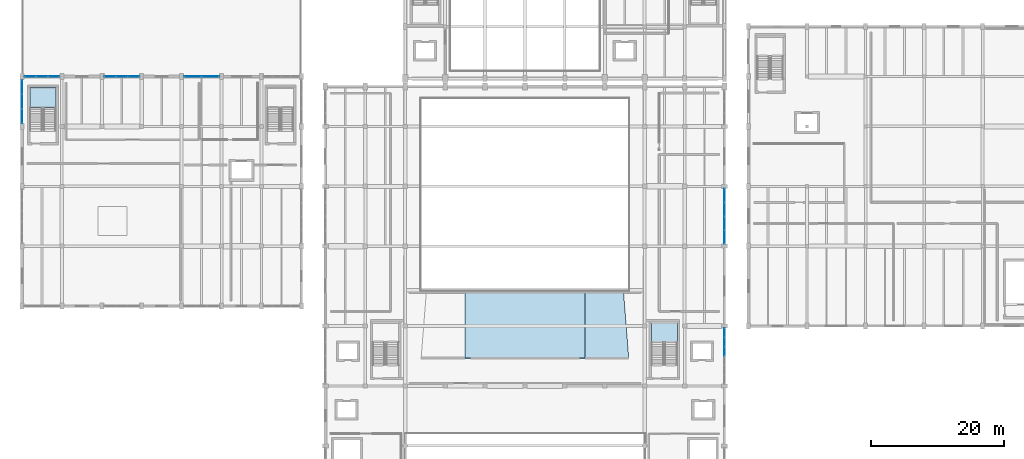
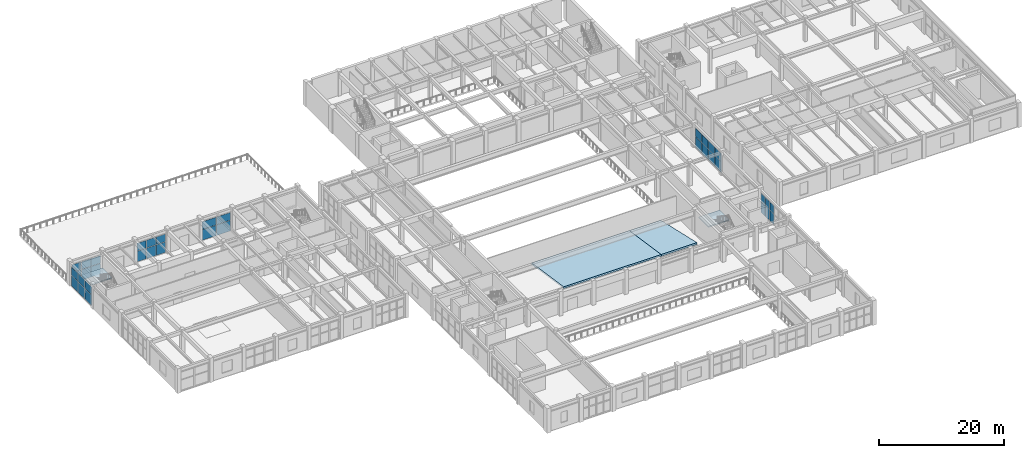
# One storey, part 53 of 80: 36 plates, 4 slabs, 8 elements without a shape of their own.
"""IFC4 building model written with IfcOpenShell, lengths in metres."""

import ifcopenshell
import ifcopenshell.guid

model = None  # the IFC model being written
_history = None  # IfcOwnerHistory: only IFC2X3 demands one
_inside = {}  # id of a spatial element -> (the spatial element, [elements in it])
_under = {}  # id of a project, library or spatial element -> (it, [spatial elements below it])
_declared = {}  # id of a project -> (the project, [libraries it declares])
_typed = {}  # id of a type object -> (the type object, [elements of that type])
_made_of = {}  # id of a material, layer set ... -> (it, [elements and type objects made of it])


def new_model(schema):
    """Start an empty IFC model of exactly this schema.

    Asked for "IFC4X3", IfcOpenShell would pick the latest addendum, in which some entities
    have other attributes; the version numbers below select the first issue.
    IFC2X3 requires an IfcOwnerHistory on every rooted entity: one is made here for all.
    """
    global model, _history
    if schema == "IFC4X3":
        model = ifcopenshell.file(schema_version=(4, 3, 0, 0))
    else:
        model = ifcopenshell.file(schema=schema)
    _inside.clear()
    _under.clear()
    _declared.clear()
    _typed.clear()
    _made_of.clear()
    _history = None
    if model.schema == "IFC2X3":
        org = make("IfcOrganization", Name="unknown")
        user = make(
            "IfcPersonAndOrganization",
            ThePerson=make("IfcPerson", FamilyName="unknown"),
            TheOrganization=org,
        )
        app = make(
            "IfcApplication",
            ApplicationDeveloper=org,
            Version="unknown",
            ApplicationFullName="unknown",
            ApplicationIdentifier="unknown",
        )
        _history = make(
            "IfcOwnerHistory",
            OwningUser=user,
            OwningApplication=app,
            ChangeAction="ADDED",
            CreationDate=0,
        )
    return model


def make(cls, **values):
    """One entity of the class cls with the attributes given. An attribute that is None is left unset."""
    return model.create_entity(
        cls, **{name: value for name, value in values.items() if value is not None}
    )


def rooted(cls, **values):
    """An entity with a GlobalId (a new one), such as an element, a storey or a relation."""
    return make(cls, GlobalId=ifcopenshell.guid.new(), OwnerHistory=_history, **values)


def si_unit(unit_type, name, prefix=None):
    """IfcSIUnit, for example si_unit("LENGTHUNIT", "METRE", prefix="MILLI")."""
    return make("IfcSIUnit", UnitType=unit_type, Prefix=prefix, Name=name)


def assignment(units):
    """IfcUnitAssignment: the units of a project."""
    return None if units is None else make("IfcUnitAssignment", Units=units)


def point(xyz):
    """IfcCartesianPoint."""
    return None if xyz is None else make("IfcCartesianPoint", Coordinates=xyz)


def direction(xyz):
    """IfcDirection."""
    return None if xyz is None else make("IfcDirection", DirectionRatios=xyz)


def frame(location, z_axis=None, x_axis=None):
    """IfcAxis2Placement3D, a coordinate frame: its origin and axes. An axis left out is left unset."""
    return make(
        "IfcAxis2Placement3D",
        Location=point(location),
        Axis=direction(z_axis),
        RefDirection=direction(x_axis),
    )


def frame_2d(location, x_axis=None):
    """IfcAxis2Placement2D, a coordinate frame in the plane: its origin and x axis."""
    return make(
        "IfcAxis2Placement2D", Location=point(location), RefDirection=direction(x_axis)
    )


def origin():
    """The frame at (0, 0, 0) with its axes left unset."""
    return frame((0.0, 0.0, 0.0))


def origin_2d():
    """The frame at (0, 0) in the plane with its x axis left unset."""
    return frame_2d((0.0, 0.0))


def place(relative_to, where):
    """IfcLocalPlacement: puts the frame where relative to a parent placement (None: the world)."""
    return make(
        "IfcLocalPlacement", PlacementRelTo=relative_to, RelativePlacement=where
    )


def context(
    kind, dimensions, precision=None, world=None, true_north=None, identifier=None
):
    """IfcGeometricRepresentationContext, for example the 3D "Model" context."""
    return make(
        "IfcGeometricRepresentationContext",
        ContextIdentifier=identifier,
        ContextType=kind,
        CoordinateSpaceDimension=dimensions,
        Precision=precision,
        WorldCoordinateSystem=world,
        TrueNorth=true_north,
    )


def subcontext(parent, identifier, kind, view, scale=None):
    """IfcGeometricRepresentationSubContext, for example "Body" below "Model"."""
    return make(
        "IfcGeometricRepresentationSubContext",
        ContextIdentifier=identifier,
        ContextType=kind,
        ParentContext=parent,
        TargetScale=scale,
        TargetView=view,
    )


def project(units=None, contexts=None):
    """IfcProject with its units and contexts."""
    return rooted(
        "IfcProject",
        Name="project",
        RepresentationContexts=contexts,
        UnitsInContext=assignment(units),
    )


def spatial(cls, under=None, at=None, **own):
    """A site, building, storey or space (cls), placed at a placement, below another one or the project."""
    s = rooted(cls, ObjectPlacement=at, **own)
    if under is not None:
        _under.setdefault(under.id(), (under, []))[1].append(s)
    return s


def polyline(points):
    """IfcPolyline through the points."""
    return make("IfcPolyline", Points=[point(p) for p in points])


def profile(cls, at=None, kind="AREA", **sizes):
    """A parametric profile (cls). Its sizes go by their IFC names, for example OverallWidth=200.0."""
    return make(cls, ProfileType=kind, Position=at, **sizes)


def rectangle(**sizes):
    """IfcRectangleProfileDef."""
    return profile("IfcRectangleProfileDef", **sizes)


def outline(outer, holes=None, kind="AREA"):
    """IfcArbitraryClosedProfileDef: a profile drawn as a closed curve; with holes, ...WithVoids."""
    if holes is None:
        return make("IfcArbitraryClosedProfileDef", ProfileType=kind, OuterCurve=outer)
    return make(
        "IfcArbitraryProfileDefWithVoids",
        ProfileType=kind,
        OuterCurve=outer,
        InnerCurves=holes,
    )


def extrude(swept, where, along, depth):
    """IfcExtrudedAreaSolid: the profile swept, set in the frame where, extruded along a direction by depth."""
    return make(
        "IfcExtrudedAreaSolid",
        SweptArea=swept,
        Position=where,
        ExtrudedDirection=direction(along),
        Depth=depth,
    )


def shape(context_of_items, identifier, shape_type, items):
    """IfcShapeRepresentation: the items that make up one representation, for example the "Body"."""
    return make(
        "IfcShapeRepresentation",
        ContextOfItems=context_of_items,
        RepresentationIdentifier=identifier,
        RepresentationType=shape_type,
        Items=items,
    )


def material(Name=None, Category=None):
    """IfcMaterial."""
    return make("IfcMaterial", Name=Name, Category=Category)


def layer(
    of_material, thickness, ventilated=None, Name=None, Category=None, Priority=None
):
    """IfcMaterialLayer: one layer of a wall or slab, of a material (None: an air gap)."""
    return make(
        "IfcMaterialLayer",
        Material=of_material,
        LayerThickness=thickness,
        IsVentilated=ventilated,
        Name=Name,
        Category=Category,
        Priority=Priority,
    )


def layer_set(layers, Name=None):
    """IfcMaterialLayerSet."""
    return make("IfcMaterialLayerSet", MaterialLayers=layers, LayerSetName=Name)


def made_of(thing, what):
    """Note that an element or type object is made of a material, layer set ...; save() writes the relation."""
    if what is not None:
        _made_of.setdefault(what.id(), (what, []))[1].append(thing)
    return thing


def type_object(cls, material=None, **own):
    """A type object (cls), such as IfcWallType, which elements share."""
    return made_of(rooted(cls, **own), material)


def element(
    cls,
    number,
    at=None,
    inside=None,
    cuts=None,
    type_object=None,
    material=None,
    context=None,
    identifier="Body",
    shape_type=None,
    held_by="IfcProductDefinitionShape",
    body=None,
    shapes=None,
    **own,
):
    """One element of the class cls, such as IfcWall. Its Tag is "e" and its number.

    at: its placement. inside: the storey or other place that contains it. cuts: it is an
    opening in that element (IfcRelVoidsElement). A single representation is given by context,
    identifier, shape_type and body (its items); several are given by shapes. held_by: the class
    of the entity that holds the representations. save() writes the other relations.
    """
    e = rooted(cls, Tag="e%d" % number, ObjectPlacement=at, **own)
    if body is not None:
        shapes = [shape(context, identifier, shape_type, body)]
    if shapes is not None:
        e.Representation = make(held_by, Representations=shapes)
    if inside is not None:
        _inside.setdefault(inside.id(), (inside, []))[1].append(e)
    if cuts is not None:
        rooted(
            "IfcRelVoidsElement", RelatingBuildingElement=cuts, RelatedOpeningElement=e
        )
    if type_object is not None:
        _typed.setdefault(type_object.id(), (type_object, []))[1].append(e)
    return made_of(e, material)


def aggregate(whole, parts):
    """IfcRelAggregates: a whole, such as a stair, and the parts it consists of."""
    return rooted("IfcRelAggregates", RelatingObject=whole, RelatedObjects=parts)


def save(model, path):
    """Write the relations noted so far, then the file.

    IfcRelAggregates (storeys below a building ...), IfcRelContainedInSpatialStructure (elements
    in a storey), IfcRelDefinesByType, IfcRelAssociatesMaterial and IfcRelDeclares: one each for
    every whole, place, type object, material and project.
    """
    for whole, parts in _under.values():
        aggregate(whole, parts)
    for where, things in _inside.values():
        rooted(
            "IfcRelContainedInSpatialStructure",
            RelatedElements=things,
            RelatingStructure=where,
        )
    for kind, things in _typed.values():
        rooted("IfcRelDefinesByType", RelatedObjects=things, RelatingType=kind)
    for what, things in _made_of.values():
        rooted("IfcRelAssociatesMaterial", RelatedObjects=things, RelatingMaterial=what)
    for by, libraries in _declared.values():
        rooted("IfcRelDeclares", RelatingContext=by, RelatedDefinitions=libraries)
    model.write(path)


model = new_model("IFC4")

# Units and contexts
model_context = context("Model", 3, precision=1e-05, world=origin(), true_north=direction((0.0, 1.0)))
body_context = subcontext(model_context, "Body", "Model", "MODEL_VIEW")
ifc_project = project(units=[si_unit("LENGTHUNIT", "METRE"), si_unit("AREAUNIT", "SQUARE_METRE"), si_unit("VOLUMEUNIT", "CUBIC_METRE"), si_unit("PLANEANGLEUNIT", "RADIAN"), si_unit("MASSUNIT", "GRAM", prefix="KILO")], contexts=[model_context])

# Site, building, storey
site_placement = place(None, origin())
site = spatial("IfcSite", under=ifc_project, at=site_placement, CompositionType="ELEMENT")
building_placement = place(site_placement, origin())
building = spatial("IfcBuilding", under=site, at=building_placement, Name="Vaelkrest Opera House", CompositionType="ELEMENT")
storey_placement = place(building_placement, frame((0.0, 0.0, 15.0)))
storey = spatial("IfcBuildingStorey", under=building, at=storey_placement, Name="L03", CompositionType="ELEMENT", Elevation=15.0)

# Curtain wall, plates
ifc_material_1 = material(Name="Dark bronze anodized aluminium", Category="aluminium")
ifc_layer_1 = layer(ifc_material_1, 0.179931640625)
ifc_layer_set_1 = layer_set([ifc_layer_1], Name="Dark bronze anodized aluminium")
curtain_wall_type_1 = type_object("IfcCurtainWallType", Name="CW01", PredefinedType="NOTDEFINED", material=ifc_layer_set_1)
curtain_wall_1_placement = place(storey_placement, origin())
curtain_wall_1 = element("IfcCurtainWall", 1, at=curtain_wall_1_placement, inside=storey, type_object=curtain_wall_type_1, Name="Curtain wall CW-L03-053", PredefinedType="NOTDEFINED")
ifc_material_2 = material(Name="Double low-E insulated glazing", Category="glass")
ifc_layer_2 = layer(ifc_material_2, 0.02587890625)
ifc_layer_set_2 = layer_set([ifc_layer_2], Name="Double low-E insulated glazing")
plate_type_1 = type_object("IfcPlateType", Name="CWP01", PredefinedType="CURTAIN_PANEL", material=ifc_layer_set_2)
plate_1_placement = place(storey_placement, frame((30.0, -20.814697265625, 0.06494140625), z_axis=(0.0, 0.0, 1.0), x_axis=(0.0, -1.0, 0.0)))
plate_1 = element("IfcPlate", 2, at=plate_1_placement, type_object=plate_type_1, Name="CW01 panel 1.1", PredefinedType="CURTAIN_PANEL", context=body_context, shape_type="SweptSolid", body=[
    extrude(rectangle(XDim=1.30322265625, YDim=0.02587890625, at=origin_2d()), origin(), (0.0, 0.0, 1.0), 2.052490234375),
])
plate_2_placement = place(storey_placement, frame((30.0, -20.814697265625, 2.182373046875), z_axis=(0.0, 0.0, 1.0), x_axis=(0.0, -1.0, 0.0)))
plate_2 = element("IfcPlate", 3, at=plate_2_placement, type_object=plate_type_1, Name="CW01 panel 1.2", PredefinedType="CURTAIN_PANEL", context=body_context, shape_type="SweptSolid", body=[
    extrude(rectangle(XDim=1.30322265625, YDim=0.02587890625, at=origin_2d()), origin(), (0.0, 0.0, 1.0), 1.58154296875),
])
plate_3_placement = place(storey_placement, frame((30.0, -22.198974609375, 0.06494140625), z_axis=(0.0, 0.0, 1.0), x_axis=(0.0, -1.0, 0.0)))
plate_3 = element("IfcPlate", 4, at=plate_3_placement, type_object=plate_type_1, Name="CW01 panel 2.1", PredefinedType="CURTAIN_PANEL", context=body_context, shape_type="SweptSolid", body=[
    extrude(rectangle(XDim=1.335693359375, YDim=0.02587890625, at=origin_2d()), origin(), (0.0, 0.0, 1.0), 2.052490234375),
])
plate_4_placement = place(storey_placement, frame((30.0, -22.198974609375, 2.182373046875), z_axis=(0.0, 0.0, 1.0), x_axis=(0.0, -1.0, 0.0)))
plate_4 = element("IfcPlate", 5, at=plate_4_placement, type_object=plate_type_1, Name="CW01 panel 2.2", PredefinedType="CURTAIN_PANEL", context=body_context, shape_type="SweptSolid", body=[
    extrude(rectangle(XDim=1.335693359375, YDim=0.02587890625, at=origin_2d()), origin(), (0.0, 0.0, 1.0), 1.58154296875),
])
plate_5_placement = place(storey_placement, frame((30.0, -23.599609375, 0.06494140625), z_axis=(0.0, 0.0, 1.0), x_axis=(0.0, -1.0, 0.0)))
plate_5 = element("IfcPlate", 6, at=plate_5_placement, type_object=plate_type_1, Name="CW01 panel 3.1", PredefinedType="CURTAIN_PANEL", context=body_context, shape_type="SweptSolid", body=[
    extrude(rectangle(XDim=1.335693359375, YDim=0.02587890625, at=origin_2d()), origin(), (0.0, 0.0, 1.0), 2.052490234375),
])
plate_6_placement = place(storey_placement, frame((30.0, -23.599609375, 2.182373046875), z_axis=(0.0, 0.0, 1.0), x_axis=(0.0, -1.0, 0.0)))
plate_6 = element("IfcPlate", 7, at=plate_6_placement, type_object=plate_type_1, Name="CW01 panel 3.2", PredefinedType="CURTAIN_PANEL", context=body_context, shape_type="SweptSolid", body=[
    extrude(rectangle(XDim=1.335693359375, YDim=0.02587890625, at=origin_2d()), origin(), (0.0, 0.0, 1.0), 1.58154296875),
])
aggregate(curtain_wall_1, [plate_1, plate_2, plate_3, plate_4, plate_5, plate_6])

ifc_layer_3 = layer(ifc_material_1, 0.2099609375)
ifc_layer_set_3 = layer_set([ifc_layer_3], Name="Dark bronze anodized aluminium")
curtain_wall_type_2 = type_object("IfcCurtainWallType", Name="CW04", PredefinedType="NOTDEFINED", material=ifc_layer_set_3)
curtain_wall_2_placement = place(storey_placement, origin())
curtain_wall_2 = element("IfcCurtainWall", 8, at=curtain_wall_2_placement, inside=storey, type_object=curtain_wall_type_2, Name="Curtain wall CW-L03-131", PredefinedType="NOTDEFINED")
ifc_layer_4 = layer(ifc_material_2, 0.0380859375)
ifc_layer_set_4 = layer_set([ifc_layer_4], Name="Double low-E insulated glazing")
plate_type_2 = type_object("IfcPlateType", Name="CWP04", PredefinedType="CURTAIN_PANEL", material=ifc_layer_set_4)
plate_7_placement = place(storey_placement, frame((-74.38134765625, 17.699951171875, 0.080078125), z_axis=(0.0, 0.0, 1.0), x_axis=(1.0, 0.0, 0.0)))
plate_7 = element("IfcPlate", 9, at=plate_7_placement, type_object=plate_type_2, Name="CW04 panel 1.1", PredefinedType="CURTAIN_PANEL", context=body_context, shape_type="SweptSolid", body=[
    extrude(rectangle(XDim=1.681396484375, YDim=0.0380859375, at=origin_2d()), origin(), (0.0, 0.0, 1.0), 2.030029296875),
])
plate_8_placement = place(storey_placement, frame((-74.38134765625, 17.699951171875, 2.18994140625), z_axis=(0.0, 0.0, 1.0), x_axis=(1.0, 0.0, 0.0)))
plate_8 = element("IfcPlate", 10, at=plate_8_placement, type_object=plate_type_2, Name="CW04 panel 1.2", PredefinedType="CURTAIN_PANEL", context=body_context, shape_type="SweptSolid", body=[
    extrude(rectangle(XDim=1.681396484375, YDim=0.0380859375, at=origin_2d()), origin(), (0.0, 0.0, 1.0), 1.47509765625),
])
plate_9_placement = place(storey_placement, frame((-72.60009765625, 17.699951171875, 0.080078125), z_axis=(0.0, 0.0, 1.0), x_axis=(1.0, 0.0, 0.0)))
plate_9 = element("IfcPlate", 11, at=plate_9_placement, type_object=plate_type_2, Name="CW04 panel 2.1", PredefinedType="CURTAIN_PANEL", context=body_context, shape_type="SweptSolid", body=[
    extrude(rectangle(XDim=1.721435546875, YDim=0.0380859375, at=origin_2d()), origin(), (0.0, 0.0, 1.0), 2.030029296875),
])
plate_10_placement = place(storey_placement, frame((-72.60009765625, 17.699951171875, 2.18994140625), z_axis=(0.0, 0.0, 1.0), x_axis=(1.0, 0.0, 0.0)))
plate_10 = element("IfcPlate", 12, at=plate_10_placement, type_object=plate_type_2, Name="CW04 panel 2.2", PredefinedType="CURTAIN_PANEL", context=body_context, shape_type="SweptSolid", body=[
    extrude(rectangle(XDim=1.721435546875, YDim=0.0380859375, at=origin_2d()), origin(), (0.0, 0.0, 1.0), 1.47509765625),
])
plate_11_placement = place(storey_placement, frame((-70.818603515625, 17.699951171875, 0.080078125), z_axis=(0.0, 0.0, 1.0), x_axis=(1.0, 0.0, 0.0)))
plate_11 = element("IfcPlate", 13, at=plate_11_placement, type_object=plate_type_2, Name="CW04 panel 3.1", PredefinedType="CURTAIN_PANEL", context=body_context, shape_type="SweptSolid", body=[
    extrude(rectangle(XDim=1.681396484375, YDim=0.0380859375, at=origin_2d()), origin(), (0.0, 0.0, 1.0), 2.030029296875),
])
plate_12_placement = place(storey_placement, frame((-70.818603515625, 17.699951171875, 2.18994140625), z_axis=(0.0, 0.0, 1.0), x_axis=(1.0, 0.0, 0.0)))
plate_12 = element("IfcPlate", 14, at=plate_12_placement, type_object=plate_type_2, Name="CW04 panel 3.2", PredefinedType="CURTAIN_PANEL", context=body_context, shape_type="SweptSolid", body=[
    extrude(rectangle(XDim=1.681396484375, YDim=0.0380859375, at=origin_2d()), origin(), (0.0, 0.0, 1.0), 1.47509765625),
])
aggregate(curtain_wall_2, [plate_7, plate_8, plate_9, plate_10, plate_11, plate_12])

ifc_layer_5 = layer(ifc_material_1, 0.22998046875)
ifc_layer_set_5 = layer_set([ifc_layer_5], Name="Dark bronze anodized aluminium")
curtain_wall_type_3 = type_object("IfcCurtainWallType", Name="CW06", PredefinedType="NOTDEFINED", material=ifc_layer_set_5)
curtain_wall_3_placement = place(storey_placement, origin())
curtain_wall_3 = element("IfcCurtainWall", 15, at=curtain_wall_3_placement, inside=storey, type_object=curtain_wall_type_3, Name="Curtain wall CW-L03-130", PredefinedType="NOTDEFINED")
ifc_material_3 = material(Name="Dark bronze anodized aluminium spandrel", Category="aluminium")
ifc_layer_6 = layer(ifc_material_3, 0.0458984375)
ifc_layer_set_6 = layer_set([ifc_layer_6], Name="Dark bronze anodized aluminium spandrel")
plate_type_3 = type_object("IfcPlateType", Name="CWP06", PredefinedType="CURTAIN_PANEL", material=ifc_layer_set_6)
plate_13_placement = place(storey_placement, frame((-75.60009765625, 11.76611328125, 0.080078125), z_axis=(0.0, 0.0, 1.0), x_axis=(0.0, 1.0, 0.0)))
plate_13 = element("IfcPlate", 16, at=plate_13_placement, type_object=plate_type_3, Name="CW06 panel 1.1", PredefinedType="CURTAIN_PANEL", context=body_context, shape_type="SweptSolid", body=[
    extrude(rectangle(XDim=2.096435546875, YDim=0.0458984375, at=origin_2d()), origin(), (0.0, 0.0, 1.0), 2.030029296875),
])
plate_14_placement = place(storey_placement, frame((-75.60009765625, 11.76611328125, 2.18994140625), z_axis=(0.0, 0.0, 1.0), x_axis=(0.0, 1.0, 0.0)))
plate_14 = element("IfcPlate", 17, at=plate_14_placement, type_object=plate_type_3, Name="CW06 panel 1.2", PredefinedType="CURTAIN_PANEL", context=body_context, shape_type="SweptSolid", body=[
    extrude(rectangle(XDim=2.096435546875, YDim=0.0458984375, at=origin_2d()), origin(), (0.0, 0.0, 1.0), 1.55908203125),
])
plate_15_placement = place(storey_placement, frame((-75.60009765625, 13.949951171875, 0.080078125), z_axis=(0.0, 0.0, 1.0), x_axis=(0.0, 1.0, 0.0)))
plate_15 = element("IfcPlate", 18, at=plate_15_placement, type_object=plate_type_3, Name="CW06 panel 2.1", PredefinedType="CURTAIN_PANEL", context=body_context, shape_type="SweptSolid", body=[
    extrude(rectangle(XDim=2.13134765625, YDim=0.0458984375, at=origin_2d()), origin(), (0.0, 0.0, 1.0), 2.030029296875),
])
plate_16_placement = place(storey_placement, frame((-75.60009765625, 13.949951171875, 2.18994140625), z_axis=(0.0, 0.0, 1.0), x_axis=(0.0, 1.0, 0.0)))
plate_16 = element("IfcPlate", 19, at=plate_16_placement, type_object=plate_type_3, Name="CW06 panel 2.2", PredefinedType="CURTAIN_PANEL", context=body_context, shape_type="SweptSolid", body=[
    extrude(rectangle(XDim=2.13134765625, YDim=0.0458984375, at=origin_2d()), origin(), (0.0, 0.0, 1.0), 1.55908203125),
])
plate_17_placement = place(storey_placement, frame((-75.60009765625, 16.1337890625, 0.080078125), z_axis=(0.0, 0.0, 1.0), x_axis=(0.0, 1.0, 0.0)))
plate_17 = element("IfcPlate", 20, at=plate_17_placement, type_object=plate_type_3, Name="CW06 panel 3.1", PredefinedType="CURTAIN_PANEL", context=body_context, shape_type="SweptSolid", body=[
    extrude(rectangle(XDim=2.096435546875, YDim=0.0458984375, at=origin_2d()), origin(), (0.0, 0.0, 1.0), 2.030029296875),
])
plate_18_placement = place(storey_placement, frame((-75.60009765625, 16.1337890625, 2.18994140625), z_axis=(0.0, 0.0, 1.0), x_axis=(0.0, 1.0, 0.0)))
plate_18 = element("IfcPlate", 21, at=plate_18_placement, type_object=plate_type_3, Name="CW06 panel 3.2", PredefinedType="CURTAIN_PANEL", context=body_context, shape_type="SweptSolid", body=[
    extrude(rectangle(XDim=2.096435546875, YDim=0.0458984375, at=origin_2d()), origin(), (0.0, 0.0, 1.0), 1.55908203125),
])
aggregate(curtain_wall_3, [plate_13, plate_14, plate_15, plate_16, plate_17, plate_18])

curtain_wall_4_placement = place(storey_placement, origin())
curtain_wall_4 = element("IfcCurtainWall", 22, at=curtain_wall_4_placement, inside=storey, type_object=curtain_wall_type_3, Name="Curtain wall CW-L03-132", PredefinedType="NOTDEFINED")
plate_19_placement = place(storey_placement, frame((-62.3837890625, 17.699951171875, 0.080078125), z_axis=(0.0, 0.0, 1.0), x_axis=(1.0, 0.0, 0.0)))
plate_19 = element("IfcPlate", 23, at=plate_19_placement, type_object=plate_type_3, Name="CW06 panel 1.1", PredefinedType="CURTAIN_PANEL", context=body_context, shape_type="SweptSolid", body=[
    extrude(rectangle(XDim=1.6962890625, YDim=0.0458984375, at=origin_2d()), origin(), (0.0, 0.0, 1.0), 2.030029296875),
])
plate_20_placement = place(storey_placement, frame((-62.3837890625, 17.699951171875, 2.18994140625), z_axis=(0.0, 0.0, 1.0), x_axis=(1.0, 0.0, 0.0)))
plate_20 = element("IfcPlate", 24, at=plate_20_placement, type_object=plate_type_3, Name="CW06 panel 1.2", PredefinedType="CURTAIN_PANEL", context=body_context, shape_type="SweptSolid", body=[
    extrude(rectangle(XDim=1.6962890625, YDim=0.0458984375, at=origin_2d()), origin(), (0.0, 0.0, 1.0), 1.47509765625),
])
plate_21_placement = place(storey_placement, frame((-60.60009765625, 17.699951171875, 0.080078125), z_axis=(0.0, 0.0, 1.0), x_axis=(1.0, 0.0, 0.0)))
plate_21 = element("IfcPlate", 25, at=plate_21_placement, type_object=plate_type_3, Name="CW06 panel 2.1", PredefinedType="CURTAIN_PANEL", context=body_context, shape_type="SweptSolid", body=[
    extrude(rectangle(XDim=1.7314453125, YDim=0.0458984375, at=origin_2d()), origin(), (0.0, 0.0, 1.0), 2.030029296875),
])
plate_22_placement = place(storey_placement, frame((-60.60009765625, 17.699951171875, 2.18994140625), z_axis=(0.0, 0.0, 1.0), x_axis=(1.0, 0.0, 0.0)))
plate_22 = element("IfcPlate", 26, at=plate_22_placement, type_object=plate_type_3, Name="CW06 panel 2.2", PredefinedType="CURTAIN_PANEL", context=body_context, shape_type="SweptSolid", body=[
    extrude(rectangle(XDim=1.7314453125, YDim=0.0458984375, at=origin_2d()), origin(), (0.0, 0.0, 1.0), 1.47509765625),
])
plate_23_placement = place(storey_placement, frame((-58.816162109375, 17.699951171875, 0.080078125), z_axis=(0.0, 0.0, 1.0), x_axis=(1.0, 0.0, 0.0)))
plate_23 = element("IfcPlate", 27, at=plate_23_placement, type_object=plate_type_3, Name="CW06 panel 3.1", PredefinedType="CURTAIN_PANEL", context=body_context, shape_type="SweptSolid", body=[
    extrude(rectangle(XDim=1.6962890625, YDim=0.0458984375, at=origin_2d()), origin(), (0.0, 0.0, 1.0), 2.030029296875),
])
plate_24_placement = place(storey_placement, frame((-58.816162109375, 17.699951171875, 2.18994140625), z_axis=(0.0, 0.0, 1.0), x_axis=(1.0, 0.0, 0.0)))
plate_24 = element("IfcPlate", 28, at=plate_24_placement, type_object=plate_type_3, Name="CW06 panel 3.2", PredefinedType="CURTAIN_PANEL", context=body_context, shape_type="SweptSolid", body=[
    extrude(rectangle(XDim=1.6962890625, YDim=0.0458984375, at=origin_2d()), origin(), (0.0, 0.0, 1.0), 1.47509765625),
])
aggregate(curtain_wall_4, [plate_19, plate_20, plate_21, plate_22, plate_23, plate_24])

ifc_layer_7 = layer(ifc_material_1, 0.239990234375)
ifc_layer_set_7 = layer_set([ifc_layer_7], Name="Dark bronze anodized aluminium")
curtain_wall_type_4 = type_object("IfcCurtainWallType", Name="CW07", PredefinedType="NOTDEFINED", material=ifc_layer_set_7)
curtain_wall_5_placement = place(storey_placement, origin())
curtain_wall_5 = element("IfcCurtainWall", 29, at=curtain_wall_5_placement, inside=storey, type_object=curtain_wall_type_4, Name="Curtain wall CW-L03-052", PredefinedType="NOTDEFINED")
ifc_layer_8 = layer(ifc_material_3, 0.052001953125)
ifc_layer_set_8 = layer_set([ifc_layer_8], Name="Dark bronze anodized aluminium spandrel")
plate_type_4 = type_object("IfcPlateType", Name="CWP07", PredefinedType="CURTAIN_PANEL", material=ifc_layer_set_8)
plate_25_placement = place(storey_placement, frame((30.0, -0.167236328125, 0.06494140625), z_axis=(0.0, 0.0, 1.0), x_axis=(0.0, -1.0, 0.0)))
plate_25 = element("IfcPlate", 30, at=plate_25_placement, type_object=plate_type_4, Name="CW07 panel 1.1", PredefinedType="CURTAIN_PANEL", context=body_context, shape_type="SweptSolid", body=[
    extrude(rectangle(XDim=1.988525390625, YDim=0.052001953125, at=origin_2d()), origin(), (0.0, 0.0, 1.0), 2.052490234375),
])
plate_26_placement = place(storey_placement, frame((30.0, -0.167236328125, 2.182373046875), z_axis=(0.0, 0.0, 1.0), x_axis=(0.0, -1.0, 0.0)))
plate_26 = element("IfcPlate", 31, at=plate_26_placement, type_object=plate_type_4, Name="CW07 panel 1.2", PredefinedType="CURTAIN_PANEL", context=body_context, shape_type="SweptSolid", body=[
    extrude(rectangle(XDim=1.988525390625, YDim=0.052001953125, at=origin_2d()), origin(), (0.0, 0.0, 1.0), 1.58154296875),
])
plate_27_placement = place(storey_placement, frame((30.0, -2.24951171875, 0.06494140625), z_axis=(0.0, 0.0, 1.0), x_axis=(0.0, -1.0, 0.0)))
plate_27 = element("IfcPlate", 32, at=plate_27_placement, type_object=plate_type_4, Name="CW07 panel 2.1", PredefinedType="CURTAIN_PANEL", context=body_context, shape_type="SweptSolid", body=[
    extrude(rectangle(XDim=2.02587890625, YDim=0.052001953125, at=origin_2d()), origin(), (0.0, 0.0, 1.0), 2.052490234375),
])
plate_28_placement = place(storey_placement, frame((30.0, -2.24951171875, 2.182373046875), z_axis=(0.0, 0.0, 1.0), x_axis=(0.0, -1.0, 0.0)))
plate_28 = element("IfcPlate", 33, at=plate_28_placement, type_object=plate_type_4, Name="CW07 panel 2.2", PredefinedType="CURTAIN_PANEL", context=body_context, shape_type="SweptSolid", body=[
    extrude(rectangle(XDim=2.02587890625, YDim=0.052001953125, at=origin_2d()), origin(), (0.0, 0.0, 1.0), 1.58154296875),
])
plate_29_placement = place(storey_placement, frame((30.0, -4.3505859375, 0.06494140625), z_axis=(0.0, 0.0, 1.0), x_axis=(0.0, -1.0, 0.0)))
plate_29 = element("IfcPlate", 34, at=plate_29_placement, type_object=plate_type_4, Name="CW07 panel 3.1", PredefinedType="CURTAIN_PANEL", context=body_context, shape_type="SweptSolid", body=[
    extrude(rectangle(XDim=2.02587890625, YDim=0.052001953125, at=origin_2d()), origin(), (0.0, 0.0, 1.0), 2.052490234375),
])
plate_30_placement = place(storey_placement, frame((30.0, -4.3505859375, 2.182373046875), z_axis=(0.0, 0.0, 1.0), x_axis=(0.0, -1.0, 0.0)))
plate_30 = element("IfcPlate", 35, at=plate_30_placement, type_object=plate_type_4, Name="CW07 panel 3.2", PredefinedType="CURTAIN_PANEL", context=body_context, shape_type="SweptSolid", body=[
    extrude(rectangle(XDim=2.02587890625, YDim=0.052001953125, at=origin_2d()), origin(), (0.0, 0.0, 1.0), 1.58154296875),
])
plate_31_placement = place(storey_placement, frame((30.0, -6.432861328125, 0.06494140625), z_axis=(0.0, 0.0, 1.0), x_axis=(0.0, -1.0, 0.0)))
plate_31 = element("IfcPlate", 36, at=plate_31_placement, type_object=plate_type_4, Name="CW07 panel 4.1", PredefinedType="CURTAIN_PANEL", context=body_context, shape_type="SweptSolid", body=[
    extrude(rectangle(XDim=1.988525390625, YDim=0.052001953125, at=origin_2d()), origin(), (0.0, 0.0, 1.0), 2.052490234375),
])
plate_32_placement = place(storey_placement, frame((30.0, -6.432861328125, 2.182373046875), z_axis=(0.0, 0.0, 1.0), x_axis=(0.0, -1.0, 0.0)))
plate_32 = element("IfcPlate", 37, at=plate_32_placement, type_object=plate_type_4, Name="CW07 panel 4.2", PredefinedType="CURTAIN_PANEL", context=body_context, shape_type="SweptSolid", body=[
    extrude(rectangle(XDim=1.988525390625, YDim=0.052001953125, at=origin_2d()), origin(), (0.0, 0.0, 1.0), 1.58154296875),
])
aggregate(curtain_wall_5, [plate_25, plate_26, plate_27, plate_28, plate_29, plate_30, plate_31, plate_32])

ifc_layer_9 = layer(ifc_material_1, 0.25)
ifc_layer_set_9 = layer_set([ifc_layer_9], Name="Dark bronze anodized aluminium")
curtain_wall_type_5 = type_object("IfcCurtainWallType", Name="CW08", PredefinedType="NOTDEFINED", material=ifc_layer_set_9)
curtain_wall_6_placement = place(storey_placement, origin())
curtain_wall_6 = element("IfcCurtainWall", 38, at=curtain_wall_6_placement, inside=storey, type_object=curtain_wall_type_5, Name="Curtain wall CW-L03-133", PredefinedType="NOTDEFINED")
ifc_layer_10 = layer(ifc_material_3, 0.05810546875)
ifc_layer_set_10 = layer_set([ifc_layer_10], Name="Dark bronze anodized aluminium spandrel")
plate_type_5 = type_object("IfcPlateType", Name="CWP08", PredefinedType="CURTAIN_PANEL", material=ifc_layer_set_10)
plate_33_placement = place(storey_placement, frame((-49.930908203125, 17.699951171875, 0.070068359375), z_axis=(0.0, 0.0, 1.0), x_axis=(1.0, 0.0, 0.0)))
plate_33 = element("IfcPlate", 39, at=plate_33_placement, type_object=plate_type_5, Name="CW08 panel 1.1", PredefinedType="CURTAIN_PANEL", context=body_context, shape_type="SweptSolid", body=[
    extrude(rectangle(XDim=2.58203125, YDim=0.05810546875, at=origin_2d()), origin(), (0.0, 0.0, 1.0), 2.044921875),
])
plate_34_placement = place(storey_placement, frame((-49.930908203125, 17.699951171875, 2.18505859375), z_axis=(0.0, 0.0, 1.0), x_axis=(1.0, 0.0, 0.0)))
plate_34 = element("IfcPlate", 40, at=plate_34_placement, type_object=plate_type_5, Name="CW08 panel 1.2", PredefinedType="CURTAIN_PANEL", context=body_context, shape_type="SweptSolid", body=[
    extrude(rectangle(XDim=2.58203125, YDim=0.05810546875, at=origin_2d()), origin(), (0.0, 0.0, 1.0), 1.489990234375),
])
plate_35_placement = place(storey_placement, frame((-47.26904296875, 17.699951171875, 0.070068359375), z_axis=(0.0, 0.0, 1.0), x_axis=(1.0, 0.0, 0.0)))
plate_35 = element("IfcPlate", 41, at=plate_35_placement, type_object=plate_type_5, Name="CW08 panel 2.1", PredefinedType="CURTAIN_PANEL", context=body_context, shape_type="SweptSolid", body=[
    extrude(rectangle(XDim=2.58203125, YDim=0.05810546875, at=origin_2d()), origin(), (0.0, 0.0, 1.0), 2.044921875),
])
plate_36_placement = place(storey_placement, frame((-47.26904296875, 17.699951171875, 2.18505859375), z_axis=(0.0, 0.0, 1.0), x_axis=(1.0, 0.0, 0.0)))
plate_36 = element("IfcPlate", 42, at=plate_36_placement, type_object=plate_type_5, Name="CW08 panel 2.2", PredefinedType="CURTAIN_PANEL", context=body_context, shape_type="SweptSolid", body=[
    extrude(rectangle(XDim=2.58203125, YDim=0.05810546875, at=origin_2d()), origin(), (0.0, 0.0, 1.0), 1.489990234375),
])
aggregate(curtain_wall_6, [plate_33, plate_34, plate_35, plate_36])

# Stair, slab
ifc_material_4 = material(Name="Concrete C40/50", Category="concrete")
stair_type_1 = type_object("IfcStairType", Name="ST02", PredefinedType="TWO_STRAIGHT_RUN_STAIR", material=ifc_material_4)
stair_1_placement = place(storey_placement, origin())
stair_1 = element("IfcStair", 43, at=stair_1_placement, inside=storey, type_object=stair_type_1, Name="L03 Protected exit stair ST02", PredefinedType="TWO_STRAIGHT_RUN_STAIR")
ifc_layer_11 = layer(ifc_material_4, 0.199951171875)
ifc_layer_set_11 = layer_set([ifc_layer_11], Name="Concrete C40/50")
slab_type_1 = type_object("IfcSlabType", Name="SLD01", PredefinedType="LANDING", material=ifc_layer_set_11)
slab_1_placement = place(storey_placement, frame((0.0, 0.0, 2.199951171875)))
slab_1 = element("IfcSlab", 44, at=slab_1_placement, type_object=slab_type_1, Name="ST02 landing 1", PredefinedType="LANDING", context=body_context, shape_type="SweptSolid", body=[
    extrude(outline(polyline([(22.89990234375, -22.2900390625), (22.89990234375, -19.199951171875), (19.0, -19.199951171875), (19.0, -22.2900390625), (22.89990234375, -22.2900390625)])), origin(), (0.0, 0.0, 1.0), 0.199951171875),
])
aggregate(stair_1, [slab_1])

stair_type_2 = type_object("IfcStairType", Name="ST07", PredefinedType="TWO_STRAIGHT_RUN_STAIR", material=ifc_material_4)
stair_2_placement = place(storey_placement, origin())
stair_2 = element("IfcStair", 45, at=stair_2_placement, inside=storey, type_object=stair_type_2, Name="L03 Protected exit stair ST07", PredefinedType="TWO_STRAIGHT_RUN_STAIR")
slab_2_placement = place(storey_placement, frame((0.0, 0.0, 2.199951171875)))
slab_2 = element("IfcSlab", 46, at=slab_2_placement, type_object=slab_type_1, Name="ST07 landing 1", PredefinedType="LANDING", context=body_context, shape_type="SweptSolid", body=[
    extrude(outline(polyline([(-70.5, 13.010009765625), (-70.5, 16.10009765625), (-74.39990234375, 16.10009765625), (-74.39990234375, 13.010009765625), (-70.5, 13.010009765625)])), origin(), (0.0, 0.0, 1.0), 0.199951171875),
])
aggregate(stair_2, [slab_2])

# Slabs
ifc_layer_12 = layer(ifc_material_4, 0.31494140625)
ifc_layer_set_12 = layer_set([ifc_layer_12], Name="Concrete C40/50")
slab_type_2 = type_object("IfcSlabType", Name="STIER04", PredefinedType="USERDEFINED", material=ifc_layer_set_12)
slab_3_placement = place(storey_placement, frame((-9.0, -14.39990234375, 0.340087890625), z_axis=(0.0, 0.147391129859, 0.989078285496), x_axis=(1.0, 0.0, 0.0)))
element("IfcSlab", 47, at=slab_3_placement, inside=storey, type_object=slab_type_2, Name="Auditorium seating tier L03 sector 2", ObjectType="SEATING TIER", PredefinedType="USERDEFINED", context=body_context, shape_type="SweptSolid", body=[
    extrude(outline(polyline([(0.0, 0.0), (18.0, 0.0), (18.0, -10.312829087526296), (0.0, -10.312829087526296), (0.0, 0.0)])), origin(), (0.0, 0.0, -1.0), 0.31494140625),
])
slab_4_placement = place(storey_placement, frame((9.0, -14.39990234375, 0.340087890625), z_axis=(0.0, 0.147391129859, 0.989078285496), x_axis=(1.0, 0.0, 0.0)))
element("IfcSlab", 48, at=slab_4_placement, inside=storey, type_object=slab_type_2, Name="Auditorium seating tier L03 sector 3", ObjectType="SEATING TIER", PredefinedType="USERDEFINED", context=body_context, shape_type="SweptSolid", body=[
    extrude(outline(polyline([(0.0, 0.0), (5.800048828125, 0.0), (6.60009765625, -10.312829087526294), (0.0, -10.312829087526294), (0.0, 0.0)])), origin(), (0.0, 0.0, -1.0), 0.31494140625),
])

save(model, "model.ifc")
